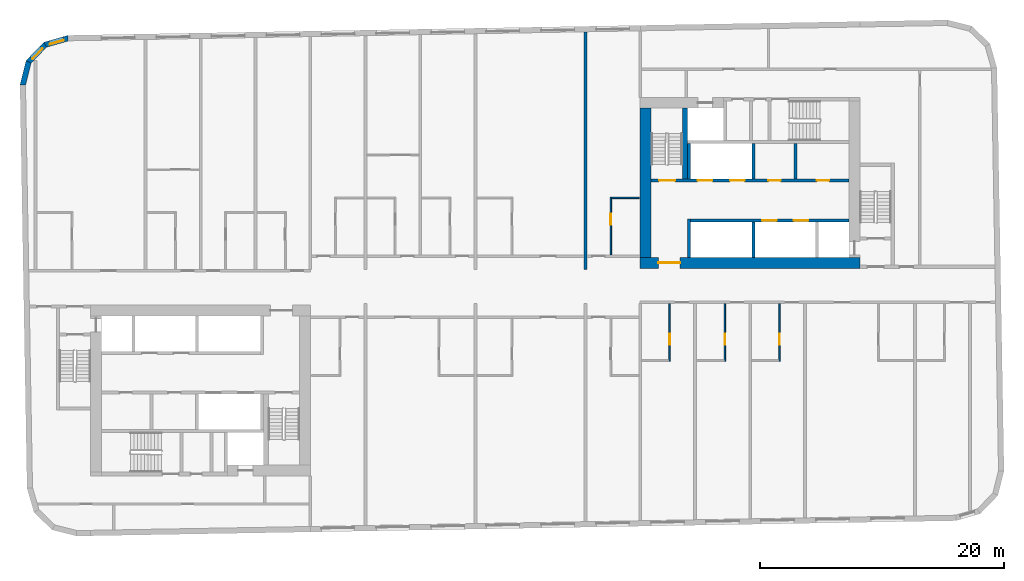
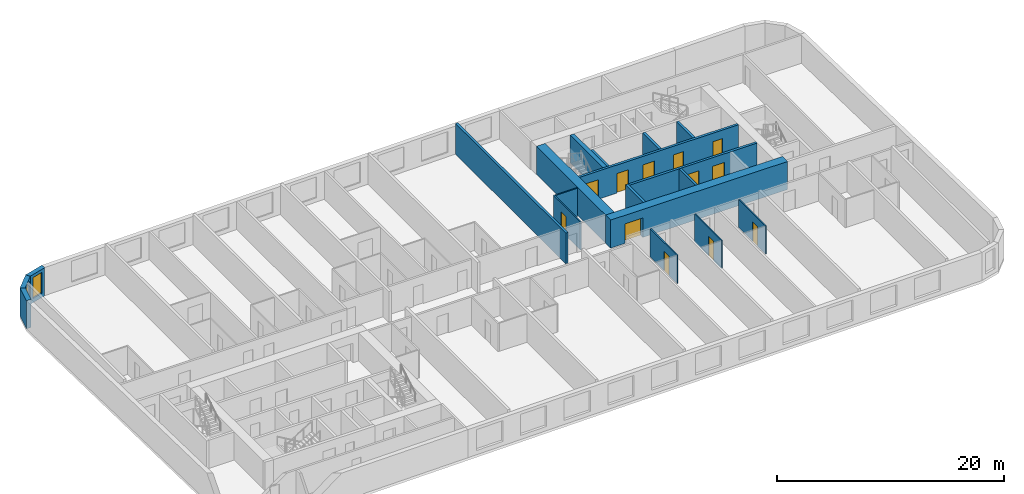
# One storey, part 5 of 11: 19 walls, 12 doors, 2 windows, 14 openings.
"""IFC4 building model written with IfcOpenShell, lengths in metres."""

from ifc_helpers import new_model, si_unit, direction, frame, frame_2d, origin, place, context, subcontext, project, spatial, polyline, rectangle, outline, extrude, material, layer, layer_set, type_object, element, fill, save


model = new_model("IFC4")

# Units and contexts
model_context = context("Model", 3, precision=1e-05, world=origin(), true_north=direction((0.0, 1.0)))
body_context = subcontext(model_context, "Body", "Model", "MODEL_VIEW")
ifc_project = project(units=[si_unit("LENGTHUNIT", "METRE"), si_unit("AREAUNIT", "SQUARE_METRE"), si_unit("VOLUMEUNIT", "CUBIC_METRE"), si_unit("PLANEANGLEUNIT", "RADIAN"), si_unit("MASSUNIT", "GRAM", prefix="KILO")], contexts=[model_context])

# Site, building, storey
site_placement = place(None, origin())
site = spatial("IfcSite", under=ifc_project, at=site_placement, CompositionType="ELEMENT")
building_placement = place(site_placement, origin())
building = spatial("IfcBuilding", under=site, at=building_placement, Name="Kajstack Hotel Tower", CompositionType="ELEMENT")
storey_placement = place(building_placement, frame((0.0, 0.0, 250.699951171875)))
storey = spatial("IfcBuildingStorey", under=building, at=storey_placement, Name="L62", CompositionType="ELEMENT", Elevation=250.699951171875)

# Wall, opening, door
ifc_material_1 = material(Name="Concrete C60/75", Category="concrete")
ifc_layer_1 = layer(ifc_material_1, 0.89990234375)
ifc_layer_set_1 = layer_set([ifc_layer_1], Name="Core wall 900")
wall_type_1 = type_object("IfcWallType", Name="Core wall 900", PredefinedType="SHEAR", material=ifc_layer_set_1)
wall_1_placement = place(storey_placement, frame((13.5, 1.949951171875, 0.0), z_axis=(0.0, 0.0, 1.0), x_axis=(1.0, 0.0, 0.0)))
wall_1 = element("IfcWall", 1, at=wall_1_placement, inside=storey, type_object=wall_type_1, Name="Core wall E RN", PredefinedType="SHEAR", context=body_context, shape_type="SweptSolid", body=[
    extrude(rectangle(XDim=18.0, YDim=0.89990234375, at=frame_2d((9.0, 0.0))), origin(), (0.0, 0.0, 1.0), 3.02001953125),
])
opening_1_placement = place(wall_1_placement, frame((1.47509765625, 0.0, 0.0)))
opening_1 = element("IfcOpeningElement", 2, at=opening_1_placement, cuts=wall_1, Name="Opening 62E07", PredefinedType="OPENING", context=body_context, shape_type="SweptSolid", body=[
    extrude(rectangle(XDim=1.800048828125, YDim=2.10009765625, at=frame_2d((0.89990234375, 1.050048828125))), frame((0.0, 0.4599609375, 0.0), z_axis=(0.0, -1.0, 0.0), x_axis=(1.0, 0.0, 0.0)), (0.0, 0.0, 1.0), 0.919921875),
])
ifc_material_2 = material(Name="Glazed steel frame, fire-rated glass", Category="steel")
door_type_1 = type_object("IfcDoorType", Name="Lobby double door 1800", OperationType="DOUBLE_DOOR_DOUBLE_SWING", PredefinedType="DOOR", material=ifc_material_2)
door_1_placement = place(opening_1_placement, origin())
door_1 = element("IfcDoor", 3, at=door_1_placement, inside=storey, type_object=door_type_1, Name="Door 62E07", OperationType="DOUBLE_DOOR_DOUBLE_SWING", OverallHeight=2.10009765625, OverallWidth=1.800048828125, PredefinedType="DOOR", context=body_context, shape_type="SweptSolid", body=[
    extrude(rectangle(XDim=1.800048828125, YDim=2.10009765625, at=frame_2d((0.89990234375, 1.050048828125))), frame((0.0, 0.02490234375, 0.0), z_axis=(0.0, -1.0, 0.0), x_axis=(1.0, 0.0, 0.0)), (0.0, 0.0, 1.0), 0.050048828125),
])
fill(opening_1, door_1)

# Wall
wall_2_placement = place(storey_placement, frame((13.949951171875, 2.39990234375, 0.0), z_axis=(0.0, 0.0, 1.0), x_axis=(0.0, 1.0, 0.0)))
element("IfcWall", 4, at=wall_2_placement, inside=storey, type_object=wall_type_1, Name="Core wall E RE", PredefinedType="SHEAR", context=body_context, shape_type="SweptSolid", body=[
    extrude(rectangle(XDim=12.2001953125, YDim=0.89990234375, at=frame_2d((6.10009765625, 0.0))), origin(), (0.0, 0.0, 1.0), 3.02001953125),
])

# Wall, opening, window
ifc_material_3 = material(Name="Terracotta-faced brick masonry", Category="masonry")
ifc_layer_2 = layer(ifc_material_3, 0.449951171875)
ifc_layer_set_2 = layer_set([ifc_layer_2], Name="EW-TERRA")
wall_type_2 = type_object("IfcWallType", Name="EW-TERRA", PredefinedType="SOLIDWALL", material=ifc_layer_set_2)
wall_3_placement = place(storey_placement, frame((-33.290283203125, 20.352294921875, 0.0), z_axis=(0.0, 0.0, 1.0), x_axis=(-0.961247584925, -0.275686562016, 0.0)))
wall_3 = element("IfcWall", 5, at=wall_3_placement, inside=storey, type_object=wall_type_2, Name="E-wall-L62-13-00", PredefinedType="SOLIDWALL", context=body_context, shape_type="SweptSolid", body=[
    extrude(outline(polyline([(0.0, -0.22509765625), (2.070556640625, -0.22509765625), (1.949951171875, 0.224853515625), (0.12060546875, 0.224853515625), (0.0, -0.22509765625)])), origin(), (0.0, 0.0, 1.0), 3.02001953125),
])
opening_2_placement = place(wall_3_placement, frame((0.435302734375, 0.0, 0.449951171875)))
opening_2 = element("IfcOpeningElement", 6, at=opening_2_placement, cuts=wall_3, Name="Opening W3", PredefinedType="OPENING", context=body_context, shape_type="SweptSolid", body=[
    extrude(rectangle(XDim=1.199951171875, YDim=2.25, at=frame_2d((0.60009765625, 1.125))), frame((0.0, 0.23486328125, 0.0), z_axis=(0.0, -1.0, 0.0), x_axis=(1.0, 0.0, 0.0)), (0.0, 0.0, 1.0), 0.469970703125),
])
ifc_material_4 = material(Name="Timber-aluminium window, triple glazed", Category="wood")
window_type = type_object("IfcWindowType", Name="WG3", PartitioningType="SINGLE_PANEL", PredefinedType="WINDOW", material=ifc_material_4)
window_1_placement = place(opening_2_placement, origin())
window_1 = element("IfcWindow", 7, at=window_1_placement, inside=storey, type_object=window_type, Name="Window W3 L62-13", OverallHeight=2.25, OverallWidth=1.199951171875, PartitioningType="SINGLE_PANEL", PredefinedType="WINDOW", context=body_context, shape_type="SweptSolid", body=[
    extrude(rectangle(XDim=1.199951171875, YDim=2.25, at=frame_2d((0.60009765625, 1.125))), frame((0.0, 0.090087890625, 0.0), z_axis=(0.0, -1.0, 0.0), x_axis=(1.0, 0.0, 0.0)), (0.0, 0.0, 1.0), 0.06005859375),
])
fill(opening_2, window_1)

wall_4_placement = place(storey_placement, frame((-35.1806640625, 19.841552734375, 0.0), z_axis=(0.0, 0.0, 1.0), x_axis=(-0.694678672846, -0.719320193998, 0.0)))
wall_4 = element("IfcWall", 8, at=wall_4_placement, inside=storey, type_object=wall_type_2, Name="E-wall-L62-14-00", PredefinedType="SOLIDWALL", context=body_context, shape_type="SweptSolid", body=[
    extrude(outline(polyline([(0.0, -0.22509765625), (2.07080078125, -0.22509765625), (1.9501953125, 0.224853515625), (0.12060546875, 0.224853515625), (0.0, -0.22509765625)])), origin(), (0.0, 0.0, 1.0), 3.02001953125),
])
opening_3_placement = place(wall_4_placement, frame((0.435302734375, 0.0, 0.449951171875)))
opening_3 = element("IfcOpeningElement", 9, at=opening_3_placement, cuts=wall_4, Name="Opening W3", PredefinedType="OPENING", context=body_context, shape_type="SweptSolid", body=[
    extrude(rectangle(XDim=1.199951171875, YDim=2.25, at=frame_2d((0.60009765625, 1.125))), frame((0.0, 0.23486328125, 0.0), z_axis=(0.0, -1.0, 0.0), x_axis=(1.0, 0.0, 0.0)), (0.0, 0.0, 1.0), 0.469970703125),
])
window_2_placement = place(opening_3_placement, origin())
window_2 = element("IfcWindow", 10, at=window_2_placement, inside=storey, type_object=window_type, Name="Window W3 L62-14", OverallHeight=2.25, OverallWidth=1.199951171875, PartitioningType="SINGLE_PANEL", PredefinedType="WINDOW", context=body_context, shape_type="SweptSolid", body=[
    extrude(rectangle(XDim=1.199951171875, YDim=2.25, at=frame_2d((0.60009765625, 1.125))), frame((0.0, 0.090087890625, 0.0), z_axis=(0.0, -1.0, 0.0), x_axis=(1.0, 0.0, 0.0)), (0.0, 0.0, 1.0), 0.06005859375),
])
fill(opening_3, window_2)

# Wall
wall_5_placement = place(storey_placement, frame((-36.562744140625, 18.453857421875, 0.0), z_axis=(0.0, 0.0, 1.0), x_axis=(-0.241869623482, -0.970308757683, 0.0)))
element("IfcWall", 11, at=wall_5_placement, inside=storey, type_object=wall_type_2, Name="E-wall-L62-15-00", PredefinedType="SOLIDWALL", context=body_context, shape_type="SweptSolid", body=[
    extrude(outline(polyline([(-0.000244140625, -0.224853515625), (2.0703125, -0.22509765625), (1.94970703125, 0.224853515625), (0.120361328125, 0.22509765625), (-0.000244140625, -0.224853515625)])), origin(), (0.0, 0.0, 1.0), 3.02001953125),
])

# Wall, opening, door
ifc_material_5 = material(Name="Gypsum board and tiled backer on steel studs", Category="steel")
ifc_layer_3 = layer(ifc_material_5, 0.125)
ifc_layer_set_3 = layer_set([ifc_layer_3], Name="En-suite wall 125")
wall_type_3 = type_object("IfcWallType", Name="En-suite wall 125", PredefinedType="PARTITIONING", material=ifc_layer_set_3)
wall_6_placement = place(storey_placement, frame((11.087890625, 2.60009765625, 0.0), z_axis=(0.0, 0.0, 1.0), x_axis=(0.0, 1.0, 0.0)))
wall_6 = element("IfcWall", 12, at=wall_6_placement, inside=storey, type_object=wall_type_3, Name="G-wall-L62-026", PredefinedType="PARTITIONING", context=body_context, shape_type="SweptSolid", body=[
    extrude(rectangle(XDim=4.724853515625, YDim=0.125, at=frame_2d((2.3623046875, 0.0))), origin(), (0.0, 0.0, 1.0), 3.02001953125),
])
opening_4_placement = place(wall_6_placement, frame((2.449951171875, 0.0, 0.0)))
opening_4 = element("IfcOpeningElement", 13, at=opening_4_placement, cuts=wall_6, Name="Opening 62020", PredefinedType="OPENING", context=body_context, shape_type="SweptSolid", body=[
    extrude(rectangle(XDim=0.89990234375, YDim=2.10009765625, at=frame_2d((0.449951171875, 1.050048828125))), frame((0.0, 0.072509765625, 0.0), z_axis=(0.0, -1.0, 0.0), x_axis=(1.0, 0.0, 0.0)), (0.0, 0.0, 1.0), 0.14501953125),
])
ifc_material_6 = material(Name="Painted timber door leaf", Category="wood")
door_type_2 = type_object("IfcDoorType", Name="Room door 900", OperationType="SINGLE_SWING_LEFT", PredefinedType="DOOR", material=ifc_material_6)
door_2_placement = place(opening_4_placement, origin())
door_2 = element("IfcDoor", 14, at=door_2_placement, inside=storey, type_object=door_type_2, Name="G-door-L62-20", OperationType="SINGLE_SWING_LEFT", OverallHeight=2.10009765625, OverallWidth=0.89990234375, PredefinedType="DOOR", context=body_context, shape_type="SweptSolid", body=[
    extrude(rectangle(XDim=0.89990234375, YDim=2.10009765625, at=frame_2d((0.449951171875, 1.050048828125))), frame((0.0, 0.02490234375, 0.0), z_axis=(0.0, -1.0, 0.0), x_axis=(1.0, 0.0, 0.0)), (0.0, 0.0, 1.0), 0.050048828125),
])
fill(opening_4, door_2)

# Wall
wall_7_placement = place(storey_placement, frame((11.14990234375, 7.261962890625, 0.0), z_axis=(0.0, 0.0, 1.0), x_axis=(1.0, 0.0, 0.0)))
element("IfcWall", 15, at=wall_7_placement, inside=storey, type_object=wall_type_3, Name="G-wall-L62-027", PredefinedType="PARTITIONING", context=body_context, shape_type="SweptSolid", body=[
    extrude(rectangle(XDim=2.25, YDim=0.125, at=frame_2d((1.125, 0.0))), origin(), (0.0, 0.0, 1.0), 3.02001953125),
])

# Wall, opening, door
wall_8_placement = place(storey_placement, frame((15.912109375, -6.125, 0.0), z_axis=(0.0, 0.0, 1.0), x_axis=(0.0, 1.0, 0.0)))
wall_8 = element("IfcWall", 16, at=wall_8_placement, inside=storey, type_object=wall_type_3, Name="G-wall-L62-039", PredefinedType="PARTITIONING", context=body_context, shape_type="SweptSolid", body=[
    extrude(rectangle(XDim=4.72509765625, YDim=0.125, at=frame_2d((2.362548828125, 0.0))), origin(), (0.0, 0.0, 1.0), 3.02001953125),
])
opening_5_placement = place(wall_8_placement, frame((1.375, 0.0, 0.0)))
opening_5 = element("IfcOpeningElement", 17, at=opening_5_placement, cuts=wall_8, Name="Opening 62030", PredefinedType="OPENING", context=body_context, shape_type="SweptSolid", body=[
    extrude(rectangle(XDim=0.89990234375, YDim=2.10009765625, at=frame_2d((0.449951171875, 1.050048828125))), frame((0.0, 0.072509765625, 0.0), z_axis=(0.0, -1.0, 0.0), x_axis=(1.0, 0.0, 0.0)), (0.0, 0.0, 1.0), 0.14501953125),
])
door_3_placement = place(opening_5_placement, origin())
door_3 = element("IfcDoor", 18, at=door_3_placement, inside=storey, type_object=door_type_2, Name="G-door-L62-30", OperationType="SINGLE_SWING_RIGHT", OverallHeight=2.10009765625, OverallWidth=0.89990234375, PredefinedType="DOOR", context=body_context, shape_type="SweptSolid", body=[
    extrude(rectangle(XDim=0.89990234375, YDim=2.10009765625, at=frame_2d((0.449951171875, 1.050048828125))), frame((0.0, 0.02490234375, 0.0), z_axis=(0.0, -1.0, 0.0), x_axis=(1.0, 0.0, 0.0)), (0.0, 0.0, 1.0), 0.050048828125),
])
fill(opening_5, door_3)

wall_9_placement = place(storey_placement, frame((20.43798828125, -6.125, 0.0), z_axis=(0.0, 0.0, 1.0), x_axis=(0.0, 1.0, 0.0)))
wall_9 = element("IfcWall", 19, at=wall_9_placement, inside=storey, type_object=wall_type_3, Name="G-wall-L62-042", PredefinedType="PARTITIONING", context=body_context, shape_type="SweptSolid", body=[
    extrude(rectangle(XDim=4.72509765625, YDim=0.125, at=frame_2d((2.362548828125, 0.0))), origin(), (0.0, 0.0, 1.0), 3.02001953125),
])
opening_6_placement = place(wall_9_placement, frame((1.375, 0.0, 0.0)))
opening_6 = element("IfcOpeningElement", 20, at=opening_6_placement, cuts=wall_9, Name="Opening 62032", PredefinedType="OPENING", context=body_context, shape_type="SweptSolid", body=[
    extrude(rectangle(XDim=0.89990234375, YDim=2.10009765625, at=frame_2d((0.449951171875, 1.050048828125))), frame((0.0, 0.072509765625, 0.0), z_axis=(0.0, -1.0, 0.0), x_axis=(1.0, 0.0, 0.0)), (0.0, 0.0, 1.0), 0.14501953125),
])
door_4_placement = place(opening_6_placement, origin())
door_4 = element("IfcDoor", 21, at=door_4_placement, inside=storey, type_object=door_type_2, Name="G-door-L62-32", OperationType="SINGLE_SWING_RIGHT", OverallHeight=2.10009765625, OverallWidth=0.89990234375, PredefinedType="DOOR", context=body_context, shape_type="SweptSolid", body=[
    extrude(rectangle(XDim=0.89990234375, YDim=2.10009765625, at=frame_2d((0.449951171875, 1.050048828125))), frame((0.0, 0.02490234375, 0.0), z_axis=(0.0, -1.0, 0.0), x_axis=(1.0, 0.0, 0.0)), (0.0, 0.0, 1.0), 0.050048828125),
])
fill(opening_6, door_4)

wall_10_placement = place(storey_placement, frame((24.9130859375, -6.125, 0.0), z_axis=(0.0, 0.0, 1.0), x_axis=(0.0, 1.0, 0.0)))
wall_10 = element("IfcWall", 22, at=wall_10_placement, inside=storey, type_object=wall_type_3, Name="G-wall-L62-044", PredefinedType="PARTITIONING", context=body_context, shape_type="SweptSolid", body=[
    extrude(rectangle(XDim=4.72509765625, YDim=0.125, at=frame_2d((2.362548828125, 0.0))), origin(), (0.0, 0.0, 1.0), 3.02001953125),
])
opening_7_placement = place(wall_10_placement, frame((1.375, 0.0, 0.0)))
opening_7 = element("IfcOpeningElement", 23, at=opening_7_placement, cuts=wall_10, Name="Opening 62034", PredefinedType="OPENING", context=body_context, shape_type="SweptSolid", body=[
    extrude(rectangle(XDim=0.89990234375, YDim=2.10009765625, at=frame_2d((0.449951171875, 1.050048828125))), frame((0.0, 0.072509765625, 0.0), z_axis=(0.0, -1.0, 0.0), x_axis=(1.0, 0.0, 0.0)), (0.0, 0.0, 1.0), 0.14501953125),
])
door_5_placement = place(opening_7_placement, origin())
door_5 = element("IfcDoor", 24, at=door_5_placement, inside=storey, type_object=door_type_2, Name="G-door-L62-34", OperationType="SINGLE_SWING_LEFT", OverallHeight=2.10009765625, OverallWidth=0.89990234375, PredefinedType="DOOR", context=body_context, shape_type="SweptSolid", body=[
    extrude(rectangle(XDim=0.89990234375, YDim=2.10009765625, at=frame_2d((0.449951171875, 1.050048828125))), frame((0.0, 0.02490234375, 0.0), z_axis=(0.0, -1.0, 0.0), x_axis=(1.0, 0.0, 0.0)), (0.0, 0.0, 1.0), 0.050048828125),
])
fill(opening_7, door_5)

# Walls
ifc_material_7 = material(Name="Concrete C50/60", Category="concrete")
ifc_layer_4 = layer(ifc_material_7, 0.300048828125)
ifc_layer_set_4 = layer_set([ifc_layer_4], Name="Hoistway divider wall 300")
wall_type_4 = type_object("IfcWallType", Name="Hoistway divider wall 300", PredefinedType="SHEAR", material=ifc_layer_set_4)
wall_11_placement = place(storey_placement, frame((22.77490234375, 2.39990234375, 0.0), z_axis=(0.0, 0.0, 1.0), x_axis=(0.0, 1.0, 0.0)))
element("IfcWall", 25, at=wall_11_placement, inside=storey, type_object=wall_type_4, Name="Core wall E AP2", PredefinedType="SHEAR", context=body_context, shape_type="SweptSolid", body=[
    extrude(rectangle(XDim=2.900146484375, YDim=0.25, at=frame_2d((1.4501953125, 0.0))), origin(), (0.0, 0.0, 1.0), 3.02001953125),
])
wall_12_placement = place(storey_placement, frame((22.77490234375, 8.800048828125, 0.0), z_axis=(0.0, 0.0, 1.0), x_axis=(0.0, 1.0, 0.0)))
element("IfcWall", 26, at=wall_12_placement, inside=storey, type_object=wall_type_4, Name="Core wall E BP2", PredefinedType="SHEAR", context=body_context, shape_type="SweptSolid", body=[
    extrude(rectangle(XDim=2.89990234375, YDim=0.25, at=frame_2d((1.449951171875, 0.0))), origin(), (0.0, 0.0, 1.0), 3.02001953125),
])
ifc_material_8 = material(Name="Concrete C45/55", Category="concrete")
ifc_layer_5 = layer(ifc_material_8, 0.25)
ifc_layer_set_5 = layer_set([ifc_layer_5], Name="RC cross wall 250 C45/55")
wall_type_5 = type_object("IfcWallType", Name="RC cross wall 250 C45/55", PredefinedType="SHEAR", material=ifc_layer_set_5)
wall_13_placement = place(storey_placement, frame((9.0, 1.39990234375, 0.0), z_axis=(0.0, 0.0, 1.0), x_axis=(0.0, 1.0, 0.0)))
element("IfcWall", 27, at=wall_13_placement, inside=storey, type_object=wall_type_5, Name="S-wall-L62-09", PredefinedType="SHEAR", context=body_context, shape_type="SweptSolid", body=[
    extrude(rectangle(XDim=19.44580078125, YDim=0.25, at=frame_2d((9.722900390625, 0.0))), origin(), (0.0, 0.0, 1.0), 3.300048828125),
])
ifc_material_9 = material(Name="Concrete block masonry", Category="masonry")
ifc_layer_6 = layer(ifc_material_9, 0.25)
ifc_layer_set_6 = layer_set([ifc_layer_6], Name="Riser partition 250")
wall_type_6 = type_object("IfcWallType", Name="Riser partition 250", PredefinedType="PARTITIONING", material=ifc_layer_set_6)
wall_14_placement = place(storey_placement, frame((26.199951171875, 8.800048828125, 0.0), z_axis=(0.0, 0.0, 1.0), x_axis=(0.0, 1.0, 0.0)))
element("IfcWall", 28, at=wall_14_placement, inside=storey, type_object=wall_type_6, Name="Partition E BF0", PredefinedType="PARTITIONING", context=body_context, shape_type="SweptSolid", body=[
    extrude(rectangle(XDim=2.89990234375, YDim=0.25, at=frame_2d((1.449951171875, 0.0))), origin(), (0.0, 0.0, 1.0), 3.02001953125),
])

# Wall, openings, doors
ifc_layer_7 = layer(ifc_material_7, 0.25)
ifc_layer_set_7 = layer_set([ifc_layer_7], Name="Shaft wall 250")
wall_type_7 = type_object("IfcWallType", Name="Shaft wall 250", PredefinedType="SHEAR", material=ifc_layer_set_7)
wall_15_placement = place(storey_placement, frame((17.60009765625, 5.425048828125, 0.0), z_axis=(0.0, 0.0, 1.0), x_axis=(1.0, 0.0, 0.0)))
wall_15 = element("IfcWall", 29, at=wall_15_placement, inside=storey, type_object=wall_type_7, Name="Core wall E FA", PredefinedType="SHEAR", context=body_context, shape_type="SweptSolid", body=[
    extrude(rectangle(XDim=13.0, YDim=0.25, at=frame_2d((6.5, 0.0))), origin(), (0.0, 0.0, 1.0), 3.02001953125),
])
opening_8_placement = place(wall_15_placement, frame((8.47509765625, 0.0, 0.0)))
opening_8 = element("IfcOpeningElement", 30, at=opening_8_placement, cuts=wall_15, Name="Opening LD-MR7", PredefinedType="OPENING", context=body_context, shape_type="SweptSolid", body=[
    extrude(rectangle(XDim=1.199951171875, YDim=2.10009765625, at=frame_2d((0.60009765625, 1.050048828125))), frame((0.0, 0.135009765625, 0.0), z_axis=(0.0, -1.0, 0.0), x_axis=(1.0, 0.0, 0.0)), (0.0, 0.0, 1.0), 0.27001953125),
])
opening_9_placement = place(wall_15_placement, frame((5.875, 0.0, 0.0)))
opening_9 = element("IfcOpeningElement", 31, at=opening_9_placement, cuts=wall_15, Name="Opening LD-MR8", PredefinedType="OPENING", context=body_context, shape_type="SweptSolid", body=[
    extrude(rectangle(XDim=1.199951171875, YDim=2.10009765625, at=frame_2d((0.60009765625, 1.050048828125))), frame((0.0, 0.135009765625, 0.0), z_axis=(0.0, -1.0, 0.0), x_axis=(1.0, 0.0, 0.0)), (0.0, 0.0, 1.0), 0.27001953125),
])
ifc_material_10 = material(Name="Stainless steel", Category="steel")
door_type_3 = type_object("IfcDoorType", Name="Lift landing door 1200", OperationType="SLIDING_TO_LEFT", PredefinedType="DOOR", material=ifc_material_10)
door_6_placement = place(opening_8_placement, origin())
door_6 = element("IfcDoor", 32, at=door_6_placement, inside=storey, type_object=door_type_3, Name="Landing door MR7", OperationType="SLIDING_TO_LEFT", OverallHeight=2.10009765625, OverallWidth=1.199951171875, PredefinedType="DOOR", context=body_context, shape_type="SweptSolid", body=[
    extrude(rectangle(XDim=1.199951171875, YDim=2.10009765625, at=frame_2d((0.60009765625, 1.050048828125))), frame((0.0, 0.02490234375, 0.0), z_axis=(0.0, -1.0, 0.0), x_axis=(1.0, 0.0, 0.0)), (0.0, 0.0, 1.0), 0.050048828125),
])
fill(opening_8, door_6)
door_7_placement = place(opening_9_placement, origin())
door_7 = element("IfcDoor", 33, at=door_7_placement, inside=storey, type_object=door_type_3, Name="Landing door MR8", OperationType="SLIDING_TO_RIGHT", OverallHeight=2.10009765625, OverallWidth=1.199951171875, PredefinedType="DOOR", context=body_context, shape_type="SweptSolid", body=[
    extrude(rectangle(XDim=1.199951171875, YDim=2.10009765625, at=frame_2d((0.60009765625, 1.050048828125))), frame((0.0, 0.02490234375, 0.0), z_axis=(0.0, -1.0, 0.0), x_axis=(1.0, 0.0, 0.0)), (0.0, 0.0, 1.0), 0.050048828125),
])
fill(opening_9, door_7)

# Wall
wall_16_placement = place(storey_placement, frame((17.47509765625, 2.39990234375, 0.0), z_axis=(0.0, 0.0, 1.0), x_axis=(0.0, 1.0, 0.0)))
element("IfcWall", 34, at=wall_16_placement, inside=storey, type_object=wall_type_7, Name="Core wall E AE", PredefinedType="SHEAR", context=body_context, shape_type="SweptSolid", body=[
    extrude(rectangle(XDim=3.150146484375, YDim=0.25, at=frame_2d((1.5751953125, 0.0))), origin(), (0.0, 0.0, 1.0), 3.02001953125),
])

# Wall, openings, doors
wall_17_placement = place(storey_placement, frame((14.39990234375, 8.675048828125, 0.0), z_axis=(0.0, 0.0, 1.0), x_axis=(1.0, 0.0, 0.0)))
wall_17 = element("IfcWall", 35, at=wall_17_placement, inside=storey, type_object=wall_type_7, Name="Core wall E FB", PredefinedType="SHEAR", context=body_context, shape_type="SweptSolid", body=[
    extrude(rectangle(XDim=16.2001953125, YDim=0.25, at=frame_2d((8.10009765625, 0.0))), origin(), (0.0, 0.0, 1.0), 3.02001953125),
])
opening_10_placement = place(wall_17_placement, frame((6.449951171875, 0.0, 0.0)))
opening_10 = element("IfcOpeningElement", 36, at=opening_10_placement, cuts=wall_17, Name="Opening LD-MR5", PredefinedType="OPENING", context=body_context, shape_type="SweptSolid", body=[
    extrude(rectangle(XDim=1.199951171875, YDim=2.10009765625, at=frame_2d((0.60009765625, 1.050048828125))), frame((0.0, 0.135009765625, 0.0), z_axis=(0.0, -1.0, 0.0), x_axis=(1.0, 0.0, 0.0)), (0.0, 0.0, 1.0), 0.27001953125),
])
opening_11_placement = place(wall_17_placement, frame((3.800048828125, 0.0, 0.0)))
opening_11 = element("IfcOpeningElement", 37, at=opening_11_placement, cuts=wall_17, Name="Opening LD-MR6", PredefinedType="OPENING", context=body_context, shape_type="SweptSolid", body=[
    extrude(rectangle(XDim=1.199951171875, YDim=2.10009765625, at=frame_2d((0.60009765625, 1.050048828125))), frame((0.0, 0.135009765625, 0.0), z_axis=(0.0, -1.0, 0.0), x_axis=(1.0, 0.0, 0.0)), (0.0, 0.0, 1.0), 0.27001953125),
])
opening_12_placement = place(wall_17_placement, frame((0.64990234375, 0.0, 0.0)))
opening_12 = element("IfcOpeningElement", 38, at=opening_12_placement, cuts=wall_17, Name="Opening 62E11", PredefinedType="OPENING", context=body_context, shape_type="SweptSolid", body=[
    extrude(rectangle(XDim=1.300048828125, YDim=2.10009765625, at=frame_2d((0.64990234375, 1.050048828125))), frame((0.0, 0.135009765625, 0.0), z_axis=(0.0, -1.0, 0.0), x_axis=(1.0, 0.0, 0.0)), (0.0, 0.0, 1.0), 0.27001953125),
])
opening_13_placement = place(wall_17_placement, frame((13.5625, 0.0, 0.0)))
opening_13 = element("IfcOpeningElement", 39, at=opening_13_placement, cuts=wall_17, Name="Opening 62E15", PredefinedType="OPENING", context=body_context, shape_type="SweptSolid", body=[
    extrude(rectangle(XDim=1.0, YDim=2.10009765625, at=frame_2d((0.5, 1.050048828125))), frame((0.0, 0.135009765625, 0.0), z_axis=(0.0, -1.0, 0.0), x_axis=(1.0, 0.0, 0.0)), (0.0, 0.0, 1.0), 0.27001953125),
])
opening_14_placement = place(wall_17_placement, frame((9.58740234375, 0.0, 0.0)))
opening_14 = element("IfcOpeningElement", 40, at=opening_14_placement, cuts=wall_17, Name="Opening 62E16", PredefinedType="OPENING", context=body_context, shape_type="SweptSolid", body=[
    extrude(rectangle(XDim=1.0, YDim=2.10009765625, at=frame_2d((0.5, 1.050048828125))), frame((0.0, 0.135009765625, 0.0), z_axis=(0.0, -1.0, 0.0), x_axis=(1.0, 0.0, 0.0)), (0.0, 0.0, 1.0), 0.27001953125),
])
door_8_placement = place(opening_10_placement, origin())
door_8 = element("IfcDoor", 41, at=door_8_placement, inside=storey, type_object=door_type_3, Name="Landing door MR5", OperationType="SLIDING_TO_LEFT", OverallHeight=2.10009765625, OverallWidth=1.199951171875, PredefinedType="DOOR", context=body_context, shape_type="SweptSolid", body=[
    extrude(rectangle(XDim=1.199951171875, YDim=2.10009765625, at=frame_2d((0.60009765625, 1.050048828125))), frame((0.0, 0.02490234375, 0.0), z_axis=(0.0, -1.0, 0.0), x_axis=(1.0, 0.0, 0.0)), (0.0, 0.0, 1.0), 0.050048828125),
])
fill(opening_10, door_8)
door_9_placement = place(opening_11_placement, origin())
door_9 = element("IfcDoor", 42, at=door_9_placement, inside=storey, type_object=door_type_3, Name="Landing door MR6", OperationType="SLIDING_TO_RIGHT", OverallHeight=2.10009765625, OverallWidth=1.199951171875, PredefinedType="DOOR", context=body_context, shape_type="SweptSolid", body=[
    extrude(rectangle(XDim=1.199951171875, YDim=2.10009765625, at=frame_2d((0.60009765625, 1.050048828125))), frame((0.0, 0.02490234375, 0.0), z_axis=(0.0, -1.0, 0.0), x_axis=(1.0, 0.0, 0.0)), (0.0, 0.0, 1.0), 0.050048828125),
])
fill(opening_11, door_9)
ifc_material_11 = material(Name="Timber leaf, fire-rated", Category="wood")
door_type_4 = type_object("IfcDoorType", Name="Service room door 1000", OperationType="SINGLE_SWING_LEFT", PredefinedType="DOOR", material=ifc_material_11)
door_10_placement = place(opening_13_placement, origin())
door_10 = element("IfcDoor", 43, at=door_10_placement, inside=storey, type_object=door_type_4, Name="Door 62E15", OperationType="SINGLE_SWING_LEFT", OverallHeight=2.10009765625, OverallWidth=1.0, PredefinedType="DOOR", context=body_context, shape_type="SweptSolid", body=[
    extrude(rectangle(XDim=1.0, YDim=2.10009765625, at=frame_2d((0.5, 1.050048828125))), frame((0.0, 0.02490234375, 0.0), z_axis=(0.0, -1.0, 0.0), x_axis=(1.0, 0.0, 0.0)), (0.0, 0.0, 1.0), 0.050048828125),
])
fill(opening_13, door_10)
door_11_placement = place(opening_14_placement, origin())
door_11 = element("IfcDoor", 44, at=door_11_placement, inside=storey, type_object=door_type_4, Name="Door 62E16", OperationType="SINGLE_SWING_LEFT", OverallHeight=2.10009765625, OverallWidth=1.0, PredefinedType="DOOR", context=body_context, shape_type="SweptSolid", body=[
    extrude(rectangle(XDim=1.0, YDim=2.10009765625, at=frame_2d((0.5, 1.050048828125))), frame((0.0, 0.02490234375, 0.0), z_axis=(0.0, -1.0, 0.0), x_axis=(1.0, 0.0, 0.0)), (0.0, 0.0, 1.0), 0.050048828125),
])
fill(opening_14, door_11)
ifc_material_12 = material(Name="Steel leaf, fire-rated", Category="steel")
door_type_5 = type_object("IfcDoorType", Name="Stair door 1300", OperationType="SINGLE_SWING_LEFT", PredefinedType="DOOR", material=ifc_material_12)
door_12_placement = place(opening_12_placement, origin())
door_12 = element("IfcDoor", 45, at=door_12_placement, inside=storey, type_object=door_type_5, Name="Door 62E11", OperationType="SINGLE_SWING_LEFT", OverallHeight=2.10009765625, OverallWidth=1.300048828125, PredefinedType="DOOR", context=body_context, shape_type="SweptSolid", body=[
    extrude(rectangle(XDim=1.300048828125, YDim=2.10009765625, at=frame_2d((0.64990234375, 1.050048828125))), frame((0.0, 0.02490234375, 0.0), z_axis=(0.0, -1.0, 0.0), x_axis=(1.0, 0.0, 0.0)), (0.0, 0.0, 1.0), 0.050048828125),
])
fill(opening_12, door_12)

# Walls
wall_18_placement = place(storey_placement, frame((17.47509765625, 8.800048828125, 0.0), z_axis=(0.0, 0.0, 1.0), x_axis=(0.0, 1.0, 0.0)))
element("IfcWall", 46, at=wall_18_placement, inside=storey, type_object=wall_type_7, Name="Core wall E BE", PredefinedType="SHEAR", context=body_context, shape_type="SweptSolid", body=[
    extrude(rectangle(XDim=2.89990234375, YDim=0.25, at=frame_2d((1.449951171875, 0.0))), origin(), (0.0, 0.0, 1.0), 3.02001953125),
])
ifc_layer_8 = layer(ifc_material_7, 0.39990234375)
ifc_layer_set_8 = layer_set([ifc_layer_8], Name="Stair wall 400")
wall_type_8 = type_object("IfcWallType", Name="Stair wall 400", PredefinedType="SHEAR", material=ifc_layer_set_8)
wall_19_placement = place(storey_placement, frame((17.14990234375, 8.800048828125, 0.0), z_axis=(0.0, 0.0, 1.0), x_axis=(0.0, 1.0, 0.0)))
element("IfcWall", 47, at=wall_19_placement, inside=storey, type_object=wall_type_8, Name="Core wall E WW2", PredefinedType="SHEAR", context=body_context, shape_type="SweptSolid", body=[
    extrude(rectangle(XDim=5.800048828125, YDim=0.39990234375, at=frame_2d((2.89990234375, 0.0))), origin(), (0.0, 0.0, 1.0), 3.02001953125),
])

save(model, "model.ifc")
